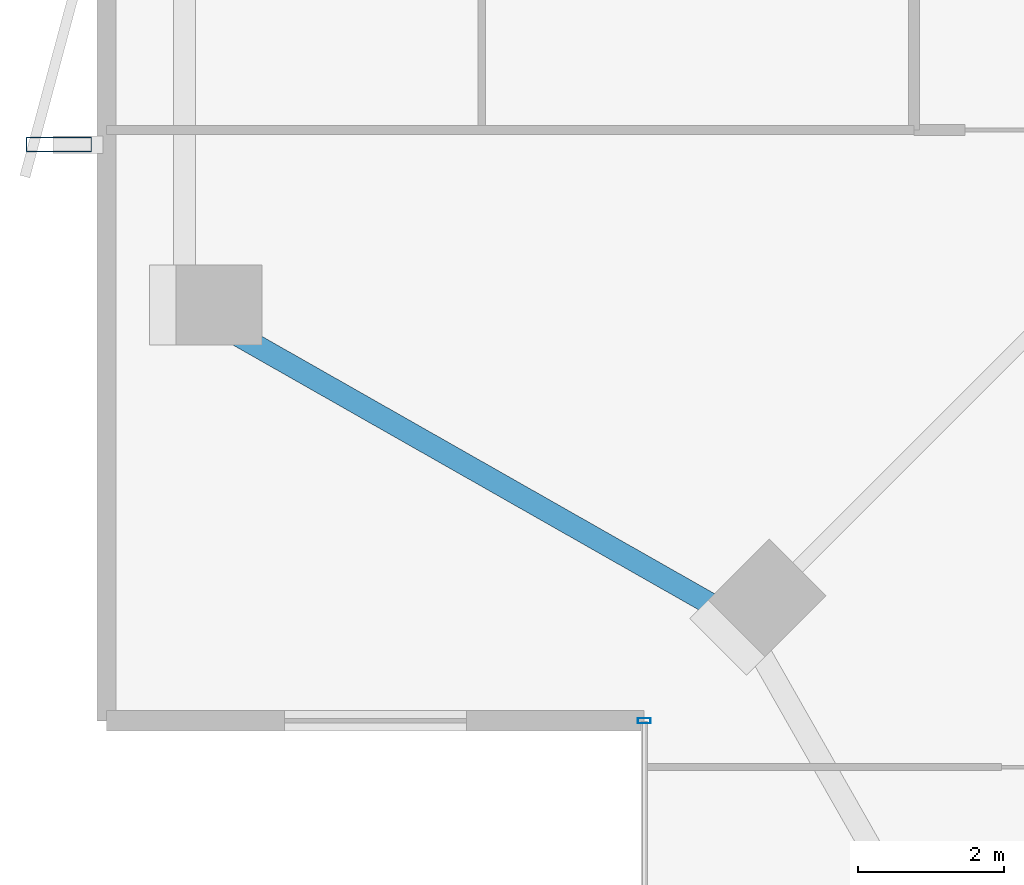
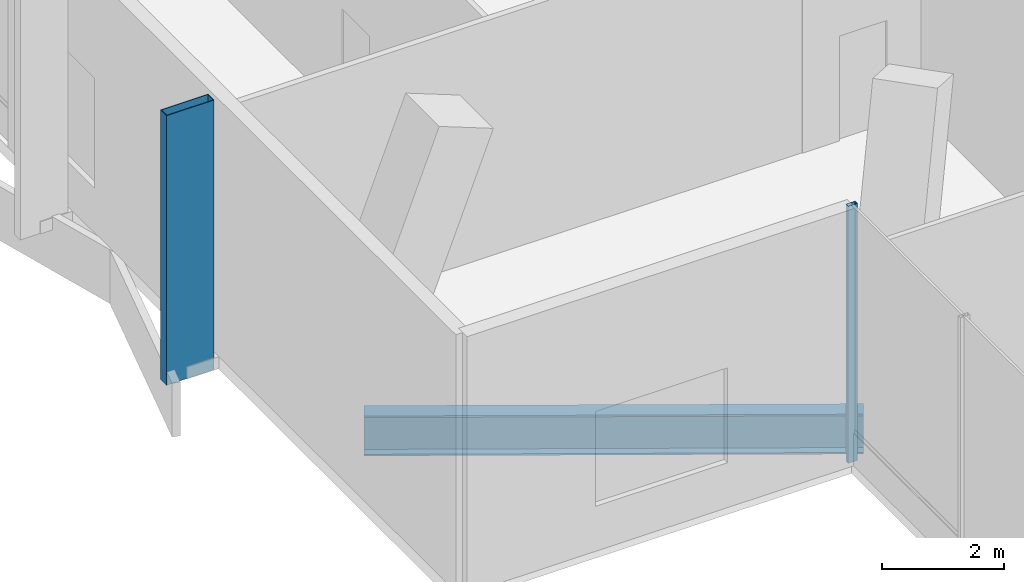
# One storey, part 3 of 33: 2 members, 1 beam, 1 element without a shape of its own.
"""IFC4 building model written with IfcOpenShell, lengths in metres."""

from ifc_helpers import new_model, si_unit, direction, frame, origin, origin_2d, place, context, subcontext, project, spatial, hollow_rectangle, i_section, extrude, material, layer, layer_set, material_profile, profile_set, type_object, element, aggregate, save


model = new_model("IFC4")

# Units and contexts
model_context = context("Model", 3, precision=1e-05, world=origin(), true_north=direction((0.0, 1.0)))
body_context = subcontext(model_context, "Body", "Model", "MODEL_VIEW")
ifc_project = project(units=[si_unit("LENGTHUNIT", "METRE"), si_unit("AREAUNIT", "SQUARE_METRE"), si_unit("VOLUMEUNIT", "CUBIC_METRE"), si_unit("PLANEANGLEUNIT", "RADIAN"), si_unit("MASSUNIT", "GRAM", prefix="KILO")], contexts=[model_context])

# Site, building, storey
site_placement = place(None, origin())
site = spatial("IfcSite", under=ifc_project, at=site_placement, CompositionType="ELEMENT")
building_placement = place(site_placement, origin())
building = spatial("IfcBuilding", under=site, at=building_placement, Name="Belovzor Exchange Tower", CompositionType="ELEMENT")
storey_placement = place(building_placement, frame((0.0, 0.0, 241.199951171875)))
storey = spatial("IfcBuildingStorey", under=building, at=storey_placement, Name="L60", CompositionType="ELEMENT", Elevation=241.199951171875)

# Beam
ifc_material_1 = material(Name="Steel S355", Category="steel")
ifc_material_profile_1 = material_profile(ifc_material_1, i_section(OverallWidth=0.300048828125, OverallDepth=0.800048828125, WebThickness=0.017578125, FlangeThickness=0.032958984375, at=origin_2d()))
ifc_profile_set_1 = profile_set([ifc_material_profile_1], Name="Steel S355")
beam_type = type_object("IfcBeamType", Name="Sky-Lobby Primary Girder HEB 800", PredefinedType="BEAM", material=ifc_profile_set_1)
beam_placement = place(storey_placement, frame((3.262939453125, 14.85009765625, -0.64990234375), z_axis=(0.869335547884, -0.494222323641, 0.0), x_axis=(0.494222323641, 0.869335547884, 0.0)))
element("IfcBeam", 1, at=beam_placement, inside=storey, type_object=beam_type, Name="SG-1 Sky-Lobby Primary Girder HEB 800", PredefinedType="BEAM", context=body_context, shape_type="SweptSolid", body=[
    extrude(i_section(OverallWidth=0.300048828125, OverallDepth=0.800048828125, WebThickness=0.017578125, FlangeThickness=0.032958984375, at=origin_2d()), origin(), (0.0, 0.0, 1.0), 8.19482421875),
])

# Member
ifc_material_2 = material(Name="Extruded Architectural Terracotta on Steel S355 Carrier", Category="masonry")
ifc_material_profile_2 = material_profile(ifc_material_2, hollow_rectangle(XDim=0.199951171875, YDim=0.89990234375, WallThickness=0.011962890625, at=origin_2d()))
ifc_profile_set_2 = profile_set([ifc_material_profile_2], Name="Extruded Architectural Terracotta on Steel S355 Carrier")
member_type_1 = type_object("IfcMemberType", Name="Sweeping Terracotta Baguette Fin Assembly 950", PredefinedType="USERDEFINED", material=ifc_profile_set_2)
member_1_placement = place(storey_placement, frame((1.27490234375, 17.199951171875, -0.25), z_axis=(0.0, 0.0, 1.0), x_axis=(0.0, 1.0, 0.0)))
element("IfcMember", 2, at=member_1_placement, inside=storey, type_object=member_type_1, Name="FIN-TC095 Terracotta Facade Fin L60 W1", ObjectType="FIN", PredefinedType="USERDEFINED", context=body_context, shape_type="SweptSolid", body=[
    extrude(hollow_rectangle(XDim=0.199951171875, YDim=0.89990234375, WallThickness=0.011962890625, at=origin_2d()), origin(), (0.0, 0.0, 1.0), 5.400146484375),
])

# Curtain wall, member
ifc_material_3 = material(Name="Anodised Aluminium Framing", Category="aluminium")
ifc_layer = layer(ifc_material_3, 0.195068359375)
ifc_layer_set = layer_set([ifc_layer], Name="Anodised Aluminium Framing")
curtain_wall_type = type_object("IfcCurtainWallType", Name="Notched Re-Entrant Corner Unitised Curtain Wall", PredefinedType="NOTDEFINED", material=ifc_layer_set)
curtain_wall_placement = place(storey_placement, origin())
curtain_wall = element("IfcCurtainWall", 3, at=curtain_wall_placement, inside=storey, type_object=curtain_wall_type, Name="CW5 Notched Re-Entrant Corner Unitised Curtain Wall L60", PredefinedType="NOTDEFINED")
ifc_material_4 = material(Name="Steel S355", Category="steel")
ifc_material_profile_3 = material_profile(ifc_material_4, hollow_rectangle(XDim=0.074951171875, YDim=0.179931640625, WallThickness=0.0048828125, at=origin_2d()))
ifc_profile_set_3 = profile_set([ifc_material_profile_3], Name="Steel S355")
member_type_2 = type_object("IfcMemberType", Name="Thermally Broken Curtain Wall Mullion 180x75", PredefinedType="MULLION", material=ifc_profile_set_3)
member_2_placement = place(storey_placement, frame((9.300048828125, 9.300048828125, 0.0), z_axis=(0.0, 0.0, 1.0), x_axis=(0.0, 1.0, 0.0)))
member_2 = element("IfcMember", 4, at=member_2_placement, type_object=member_type_2, Name="CW-M180 Curtain Wall Mullion 3", PredefinedType="MULLION", context=body_context, shape_type="SweptSolid", body=[
    extrude(hollow_rectangle(XDim=0.074951171875, YDim=0.179931640625, WallThickness=0.0048828125, at=origin_2d()), origin(), (0.0, 0.0, 1.0), 5.150146484375),
])
aggregate(curtain_wall, [member_2])

save(model, "model.ifc")
